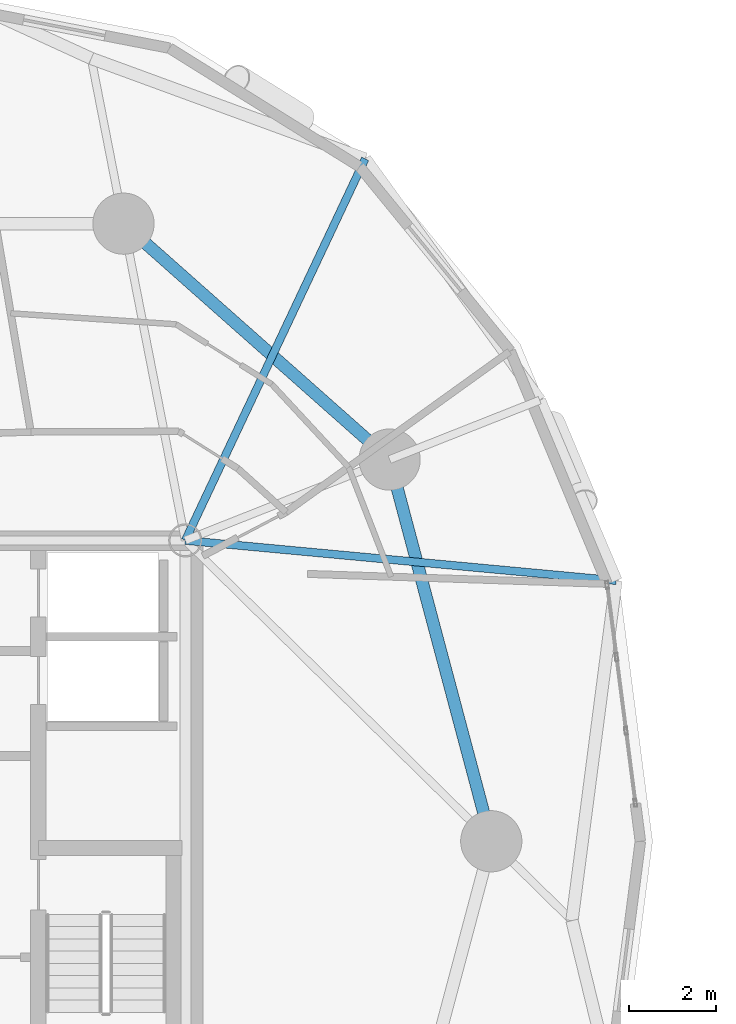
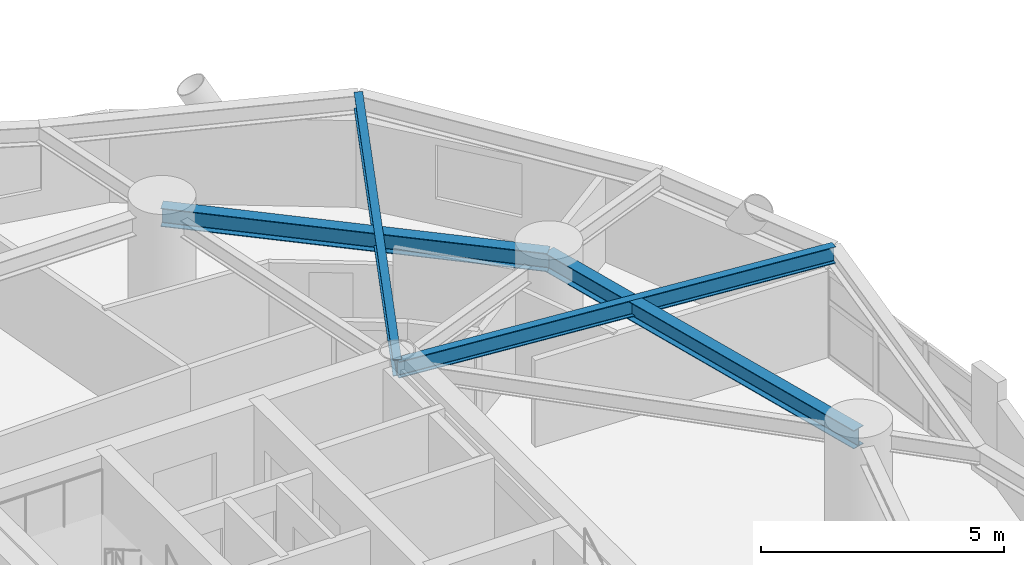
# One storey, part 3 of 18: 4 beams.
"""IFC4 building model written with IfcOpenShell, lengths in metres."""

from ifc_helpers import new_model, si_unit, direction, frame, origin, origin_2d, place, context, subcontext, project, spatial, i_section, extrude, material, material_profile, profile_set, type_object, element, save


model = new_model("IFC4")

# Units and contexts
model_context = context("Model", 3, precision=1e-05, world=origin(), true_north=direction((0.0, 1.0)))
body_context = subcontext(model_context, "Body", "Model", "MODEL_VIEW")
ifc_project = project(units=[si_unit("LENGTHUNIT", "METRE"), si_unit("AREAUNIT", "SQUARE_METRE"), si_unit("VOLUMEUNIT", "CUBIC_METRE"), si_unit("PLANEANGLEUNIT", "RADIAN"), si_unit("MASSUNIT", "GRAM", prefix="KILO")], contexts=[model_context])

# Site, building, storey
site_placement = place(None, origin())
site = spatial("IfcSite", under=ifc_project, at=site_placement, CompositionType="ELEMENT")
building_placement = place(site_placement, origin())
building = spatial("IfcBuilding", under=site, at=building_placement, Name="Cununo Teusaquillo Station Towers", CompositionType="ELEMENT")
storey_placement = place(building_placement, frame((0.0, 0.0, 105.070068359375)))
storey = spatial("IfcBuildingStorey", under=building, at=storey_placement, Name="L33", CompositionType="ELEMENT", Elevation=105.070068359375)

# Beams
ifc_material_1 = material(Name="Steel ASTM A572 Grade 50", Category="steel")
ifc_material_profile_1 = material_profile(ifc_material_1, i_section(OverallWidth=0.180908203125, OverallDepth=0.4169921875, WebThickness=0.010986328125, FlangeThickness=0.018310546875, FilletRadius=0.012939453125, at=origin_2d()), Name="W16X57")
ifc_profile_set_1 = profile_set([ifc_material_profile_1], Name="Steel ASTM A572 Grade 50")
beam_type_1 = type_object("IfcBeamType", Name="BM-JOIST-1", PredefinedType="JOIST", material=ifc_profile_set_1)
beam_1_placement = place(storey_placement, frame((21.675048828125, 31.3798828125, 2.46142578125), z_axis=(0.995678537907, -0.09286683558, 0.0), x_axis=(0.09286683558, 0.995678537907, 0.0)))
element("IfcBeam", 1, at=beam_1_placement, inside=storey, type_object=beam_type_1, Name="L33 Tower A Radial Spandrel Joist V01", PredefinedType="JOIST", context=body_context, shape_type="SweptSolid", body=[
    extrude(i_section(OverallWidth=0.180908203125, OverallDepth=0.4169921875, WebThickness=0.010986328125, FlangeThickness=0.018310546875, FilletRadius=0.012939453125, at=origin_2d()), origin(), (0.0, 0.0, 1.0), 9.895263671875),
])
beam_2_placement = place(storey_placement, frame((21.675048828125, 31.3798828125, 2.46142578125), z_axis=(0.426319838016, 0.904572493344, 0.0), x_axis=(-0.904572493344, 0.426319838016, 0.0)))
element("IfcBeam", 2, at=beam_2_placement, inside=storey, type_object=beam_type_1, Name="L33 Tower A Radial Spandrel Joist V03", PredefinedType="JOIST", context=body_context, shape_type="SweptSolid", body=[
    extrude(i_section(OverallWidth=0.180908203125, OverallDepth=0.4169921875, WebThickness=0.010986328125, FlangeThickness=0.018310546875, FilletRadius=0.012939453125, at=origin_2d()), origin(), (0.0, 0.0, 1.0), 9.646728515625),
])
ifc_material_2 = material(Name="Steel ASTM A572 Grade 50", Category="steel")
ifc_material_profile_2 = material_profile(ifc_material_2, i_section(OverallWidth=0.280029296875, OverallDepth=0.462890625, WebThickness=0.0107421875, FlangeThickness=0.017333984375, FilletRadius=0.013916015625, at=origin_2d()), Name="W18X76")
ifc_profile_set_2 = profile_set([ifc_material_profile_2], Name="Steel ASTM A572 Grade 50")
beam_type_2 = type_object("IfcBeamType", Name="BM-RING-Z2", PredefinedType="SPANDREL", material=ifc_profile_set_2)
beam_3_placement = place(storey_placement, frame((28.672119140625, 24.5, 2.4384765625), z_axis=(-0.257363196347, 0.966314744359, 0.0), x_axis=(-0.966314744359, -0.257363196347, 0.0)))
element("IfcBeam", 3, at=beam_3_placement, inside=storey, type_object=beam_type_2, Name="L33 Tower A Structural Column Ring Girder 01", PredefinedType="SPANDREL", context=body_context, shape_type="SweptSolid", body=[
    extrude(i_section(OverallWidth=0.280029296875, OverallDepth=0.462890625, WebThickness=0.0107421875, FlangeThickness=0.017333984375, FilletRadius=0.013916015625, at=origin_2d()), origin(), (0.0, 0.0, 1.0), 9.03271484375),
])
beam_4_placement = place(storey_placement, frame((26.347412109375, 33.228515625, 2.4384765625), z_axis=(-0.74832120039, 0.66333655187, 0.0), x_axis=(-0.66333655187, -0.74832120039, 0.0)))
element("IfcBeam", 4, at=beam_4_placement, inside=storey, type_object=beam_type_2, Name="L33 Tower A Structural Column Ring Girder 02", PredefinedType="SPANDREL", context=body_context, shape_type="SweptSolid", body=[
    extrude(i_section(OverallWidth=0.280029296875, OverallDepth=0.462890625, WebThickness=0.0107421875, FlangeThickness=0.017333984375, FilletRadius=0.013916015625, at=origin_2d()), origin(), (0.0, 0.0, 1.0), 8.1328125),
])

save(model, "model.ifc")
